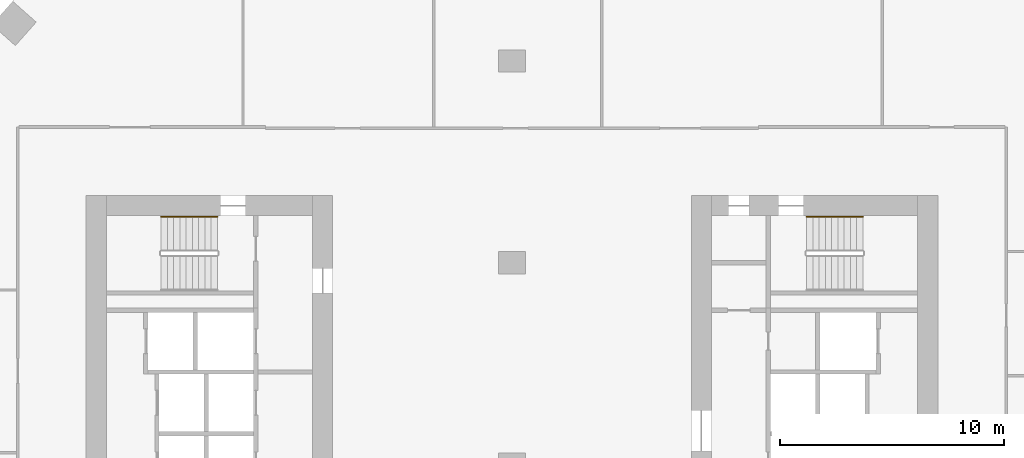
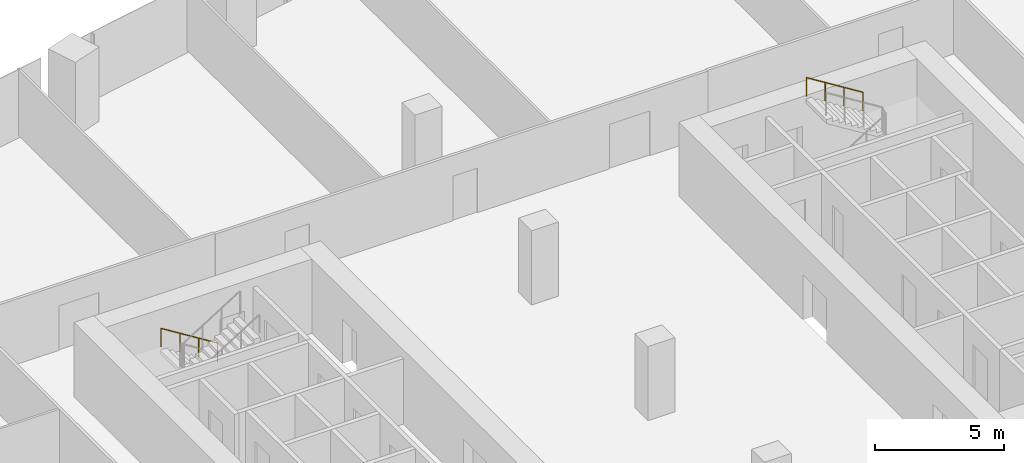
# One storey, part 38 of 38: 2 railings.
"""IFC4 building model written with IfcOpenShell, lengths in metres."""

import ifcopenshell
import ifcopenshell.guid

model = None  # the IFC model being written
_history = None  # IfcOwnerHistory: only IFC2X3 demands one
_inside = {}  # id of a spatial element -> (the spatial element, [elements in it])
_under = {}  # id of a project, library or spatial element -> (it, [spatial elements below it])
_declared = {}  # id of a project -> (the project, [libraries it declares])
_typed = {}  # id of a type object -> (the type object, [elements of that type])
_made_of = {}  # id of a material, layer set ... -> (it, [elements and type objects made of it])


def new_model(schema):
    """Start an empty IFC model of exactly this schema.

    Asked for "IFC4X3", IfcOpenShell would pick the latest addendum, in which some entities
    have other attributes; the version numbers below select the first issue.
    IFC2X3 requires an IfcOwnerHistory on every rooted entity: one is made here for all.
    """
    global model, _history
    if schema == "IFC4X3":
        model = ifcopenshell.file(schema_version=(4, 3, 0, 0))
    else:
        model = ifcopenshell.file(schema=schema)
    _inside.clear()
    _under.clear()
    _declared.clear()
    _typed.clear()
    _made_of.clear()
    _history = None
    if model.schema == "IFC2X3":
        org = make("IfcOrganization", Name="unknown")
        user = make(
            "IfcPersonAndOrganization",
            ThePerson=make("IfcPerson", FamilyName="unknown"),
            TheOrganization=org,
        )
        app = make(
            "IfcApplication",
            ApplicationDeveloper=org,
            Version="unknown",
            ApplicationFullName="unknown",
            ApplicationIdentifier="unknown",
        )
        _history = make(
            "IfcOwnerHistory",
            OwningUser=user,
            OwningApplication=app,
            ChangeAction="ADDED",
            CreationDate=0,
        )
    return model


def make(cls, **values):
    """One entity of the class cls with the attributes given. An attribute that is None is left unset."""
    return model.create_entity(
        cls, **{name: value for name, value in values.items() if value is not None}
    )


def rooted(cls, **values):
    """An entity with a GlobalId (a new one), such as an element, a storey or a relation."""
    return make(cls, GlobalId=ifcopenshell.guid.new(), OwnerHistory=_history, **values)


def si_unit(unit_type, name, prefix=None):
    """IfcSIUnit, for example si_unit("LENGTHUNIT", "METRE", prefix="MILLI")."""
    return make("IfcSIUnit", UnitType=unit_type, Prefix=prefix, Name=name)


def assignment(units):
    """IfcUnitAssignment: the units of a project."""
    return None if units is None else make("IfcUnitAssignment", Units=units)


def point(xyz):
    """IfcCartesianPoint."""
    return None if xyz is None else make("IfcCartesianPoint", Coordinates=xyz)


def direction(xyz):
    """IfcDirection."""
    return None if xyz is None else make("IfcDirection", DirectionRatios=xyz)


def frame(location, z_axis=None, x_axis=None):
    """IfcAxis2Placement3D, a coordinate frame: its origin and axes. An axis left out is left unset."""
    return make(
        "IfcAxis2Placement3D",
        Location=point(location),
        Axis=direction(z_axis),
        RefDirection=direction(x_axis),
    )


def frame_2d(location, x_axis=None):
    """IfcAxis2Placement2D, a coordinate frame in the plane: its origin and x axis."""
    return make(
        "IfcAxis2Placement2D", Location=point(location), RefDirection=direction(x_axis)
    )


def origin():
    """The frame at (0, 0, 0) with its axes left unset."""
    return frame((0.0, 0.0, 0.0))


def origin_2d():
    """The frame at (0, 0) in the plane with its x axis left unset."""
    return frame_2d((0.0, 0.0))


def place(relative_to, where):
    """IfcLocalPlacement: puts the frame where relative to a parent placement (None: the world)."""
    return make(
        "IfcLocalPlacement", PlacementRelTo=relative_to, RelativePlacement=where
    )


def context(
    kind, dimensions, precision=None, world=None, true_north=None, identifier=None
):
    """IfcGeometricRepresentationContext, for example the 3D "Model" context."""
    return make(
        "IfcGeometricRepresentationContext",
        ContextIdentifier=identifier,
        ContextType=kind,
        CoordinateSpaceDimension=dimensions,
        Precision=precision,
        WorldCoordinateSystem=world,
        TrueNorth=true_north,
    )


def subcontext(parent, identifier, kind, view, scale=None):
    """IfcGeometricRepresentationSubContext, for example "Body" below "Model"."""
    return make(
        "IfcGeometricRepresentationSubContext",
        ContextIdentifier=identifier,
        ContextType=kind,
        ParentContext=parent,
        TargetScale=scale,
        TargetView=view,
    )


def project(units=None, contexts=None):
    """IfcProject with its units and contexts."""
    return rooted(
        "IfcProject",
        Name="project",
        RepresentationContexts=contexts,
        UnitsInContext=assignment(units),
    )


def spatial(cls, under=None, at=None, **own):
    """A site, building, storey or space (cls), placed at a placement, below another one or the project."""
    s = rooted(cls, ObjectPlacement=at, **own)
    if under is not None:
        _under.setdefault(under.id(), (under, []))[1].append(s)
    return s


def profile(cls, at=None, kind="AREA", **sizes):
    """A parametric profile (cls). Its sizes go by their IFC names, for example OverallWidth=200.0."""
    return make(cls, ProfileType=kind, Position=at, **sizes)


def circle(**sizes):
    """IfcCircleProfileDef."""
    return profile("IfcCircleProfileDef", **sizes)


def extrude(swept, where, along, depth):
    """IfcExtrudedAreaSolid: the profile swept, set in the frame where, extruded along a direction by depth."""
    return make(
        "IfcExtrudedAreaSolid",
        SweptArea=swept,
        Position=where,
        ExtrudedDirection=direction(along),
        Depth=depth,
    )


def shape(context_of_items, identifier, shape_type, items):
    """IfcShapeRepresentation: the items that make up one representation, for example the "Body"."""
    return make(
        "IfcShapeRepresentation",
        ContextOfItems=context_of_items,
        RepresentationIdentifier=identifier,
        RepresentationType=shape_type,
        Items=items,
    )


def material(Name=None, Category=None):
    """IfcMaterial."""
    return make("IfcMaterial", Name=Name, Category=Category)


def made_of(thing, what):
    """Note that an element or type object is made of a material, layer set ...; save() writes the relation."""
    if what is not None:
        _made_of.setdefault(what.id(), (what, []))[1].append(thing)
    return thing


def type_object(cls, material=None, **own):
    """A type object (cls), such as IfcWallType, which elements share."""
    return made_of(rooted(cls, **own), material)


def element(
    cls,
    number,
    at=None,
    inside=None,
    cuts=None,
    type_object=None,
    material=None,
    context=None,
    identifier="Body",
    shape_type=None,
    held_by="IfcProductDefinitionShape",
    body=None,
    shapes=None,
    **own,
):
    """One element of the class cls, such as IfcWall. Its Tag is "e" and its number.

    at: its placement. inside: the storey or other place that contains it. cuts: it is an
    opening in that element (IfcRelVoidsElement). A single representation is given by context,
    identifier, shape_type and body (its items); several are given by shapes. held_by: the class
    of the entity that holds the representations. save() writes the other relations.
    """
    e = rooted(cls, Tag="e%d" % number, ObjectPlacement=at, **own)
    if body is not None:
        shapes = [shape(context, identifier, shape_type, body)]
    if shapes is not None:
        e.Representation = make(held_by, Representations=shapes)
    if inside is not None:
        _inside.setdefault(inside.id(), (inside, []))[1].append(e)
    if cuts is not None:
        rooted(
            "IfcRelVoidsElement", RelatingBuildingElement=cuts, RelatedOpeningElement=e
        )
    if type_object is not None:
        _typed.setdefault(type_object.id(), (type_object, []))[1].append(e)
    return made_of(e, material)


def aggregate(whole, parts):
    """IfcRelAggregates: a whole, such as a stair, and the parts it consists of."""
    return rooted("IfcRelAggregates", RelatingObject=whole, RelatedObjects=parts)


def save(model, path):
    """Write the relations noted so far, then the file.

    IfcRelAggregates (storeys below a building ...), IfcRelContainedInSpatialStructure (elements
    in a storey), IfcRelDefinesByType, IfcRelAssociatesMaterial and IfcRelDeclares: one each for
    every whole, place, type object, material and project.
    """
    for whole, parts in _under.values():
        aggregate(whole, parts)
    for where, things in _inside.values():
        rooted(
            "IfcRelContainedInSpatialStructure",
            RelatedElements=things,
            RelatingStructure=where,
        )
    for kind, things in _typed.values():
        rooted("IfcRelDefinesByType", RelatedObjects=things, RelatingType=kind)
    for what, things in _made_of.values():
        rooted("IfcRelAssociatesMaterial", RelatedObjects=things, RelatingMaterial=what)
    for by, libraries in _declared.values():
        rooted("IfcRelDeclares", RelatingContext=by, RelatedDefinitions=libraries)
    model.write(path)


model = new_model("IFC4")

# Units and contexts
model_context = context("Model", 3, precision=1e-05, world=origin(), true_north=direction((0.0, 1.0)))
body_context = subcontext(model_context, "Body", "Model", "MODEL_VIEW")
ifc_project = project(units=[si_unit("LENGTHUNIT", "METRE"), si_unit("AREAUNIT", "SQUARE_METRE"), si_unit("VOLUMEUNIT", "CUBIC_METRE"), si_unit("PLANEANGLEUNIT", "RADIAN"), si_unit("MASSUNIT", "GRAM", prefix="KILO")], contexts=[model_context])

# Site, building, storey
site_placement = place(None, origin())
site = spatial("IfcSite", under=ifc_project, at=site_placement, CompositionType="ELEMENT")
building_placement = place(site_placement, origin())
building = spatial("IfcBuilding", under=site, at=building_placement, Name="Orlundy Tower", CompositionType="ELEMENT")
storey_placement = place(building_placement, frame((0.0, 0.0, 65.800048828125)))
storey = spatial("IfcBuildingStorey", under=building, at=storey_placement, Name="L15", CompositionType="ELEMENT", Elevation=65.800048828125)

# Railings
ifc_material = material(Name="Steel handrail", Category="steel")
railing_type = type_object("IfcRailingType", Name="Stair Handrail 900", PredefinedType="HANDRAIL", material=ifc_material)
for number, where, name in (
    (1, (-13.139892578125, 11.050048828125, 0.175048828125), "L15 ST-W1 stair handrail 1"),
    (2, (15.659912109375, 11.050048828125, 1.925048828125), "L15 ST-E2 stair handrail 2"),
):
    element("IfcRailing", number, at=place(storey_placement, frame(where)), inside=storey, type_object=railing_type, Name=name, PredefinedType="HANDRAIL", context=body_context, shape_type="SweptSolid", body=[
        extrude(circle(Radius=0.02392578125, at=origin_2d()), frame((0.0, 0.0, 0.8759765625), z_axis=(-0.848007534815, 0.0, 0.529984170421), x_axis=(0.0, -1.0, 0.0)), (0.0, 0.0, 1.0), 2.9716796875),
        extrude(circle(Radius=0.02099609375, at=origin_2d()), origin(), (0.0, 0.0, 1.0), 0.851806640625),
        extrude(circle(Radius=0.02099609375, at=origin_2d()), frame((-0.840087890625, 0.0, 0.52490234375)), (0.0, 0.0, 1.0), 0.851806640625),
        extrude(circle(Radius=0.02099609375, at=origin_2d()), frame((-1.679931640625, 0.0, 1.050048828125)), (0.0, 0.0, 1.0), 0.851806640625),
        extrude(circle(Radius=0.02099609375, at=origin_2d()), frame((-2.52001953125, 0.0, 1.574951171875)), (0.0, 0.0, 1.0), 0.851806640625),
    ])

save(model, "model.ifc")
